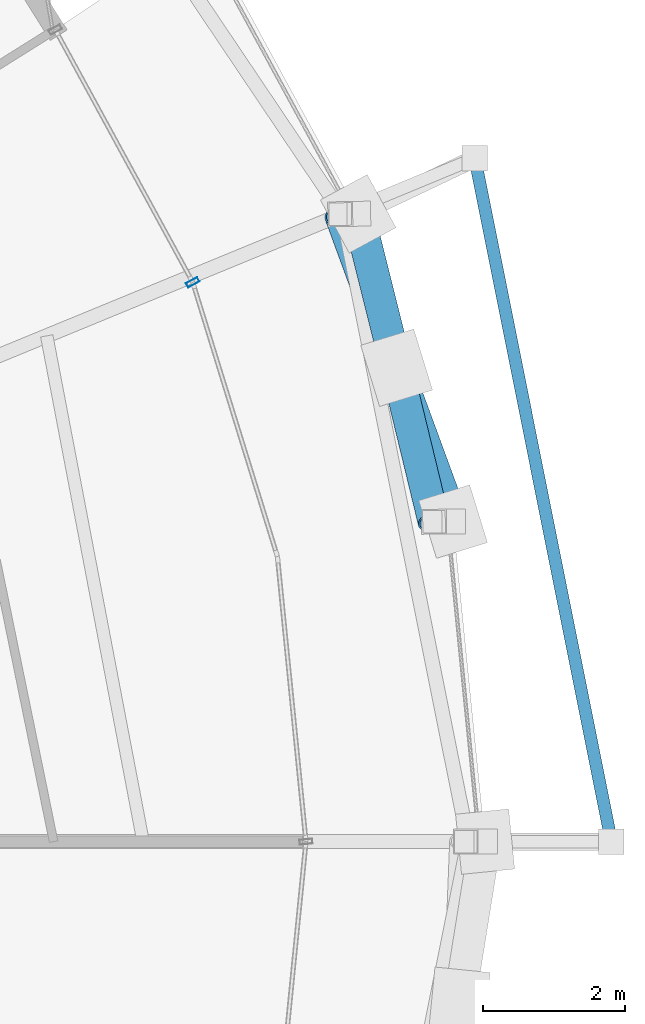
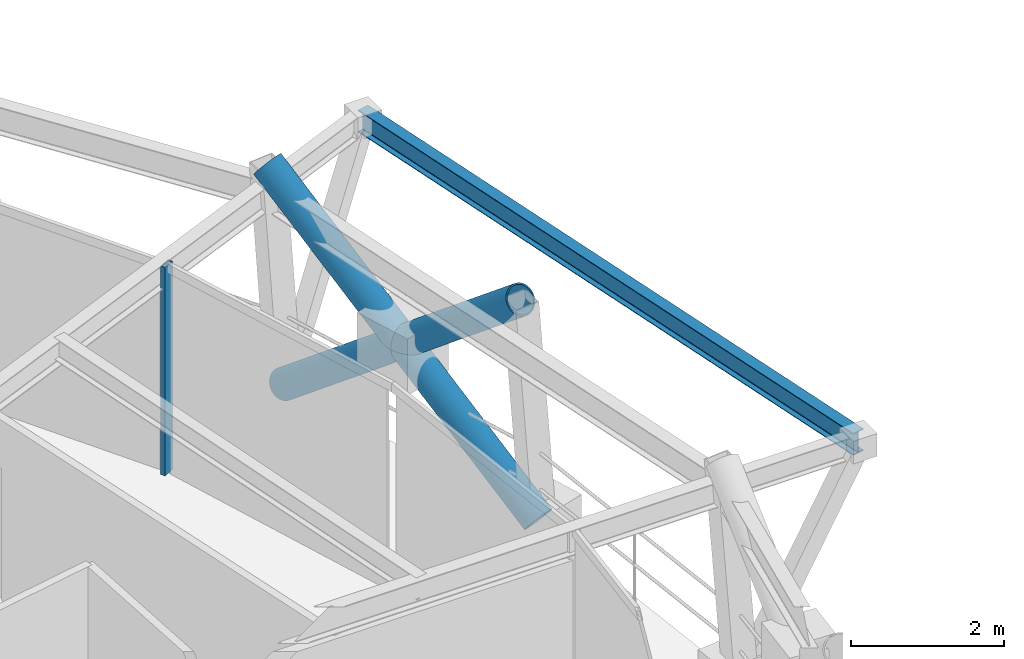
# One storey, part 9 of 18: 4 members, 1 beam, 1 element without a shape of its own.
"""IFC4 building model written with IfcOpenShell, lengths in metres."""

from ifc_helpers import new_model, si_unit, direction, frame, origin, origin_2d, place, context, subcontext, project, spatial, hollow_rectangle, hollow_circle, i_section, extrude, material, layer, layer_set, material_profile, profile_set, type_object, element, aggregate, save


model = new_model("IFC4")

# Units and contexts
model_context = context("Model", 3, precision=1e-05, world=origin(), true_north=direction((0.0, 1.0)))
body_context = subcontext(model_context, "Body", "Model", "MODEL_VIEW")
ifc_project = project(units=[si_unit("LENGTHUNIT", "METRE"), si_unit("AREAUNIT", "SQUARE_METRE"), si_unit("VOLUMEUNIT", "CUBIC_METRE"), si_unit("PLANEANGLEUNIT", "RADIAN"), si_unit("MASSUNIT", "GRAM", prefix="KILO")], contexts=[model_context])

# Site, building, storey
site_placement = place(None, origin())
site = spatial("IfcSite", under=ifc_project, at=site_placement, CompositionType="ELEMENT")
building_placement = place(site_placement, origin())
building = spatial("IfcBuilding", under=site, at=building_placement, Name="Veldorina Hangang Commons", CompositionType="ELEMENT")
storey_placement = place(building_placement, frame((0.0, 0.0, 243.60009765625)))
storey = spatial("IfcBuildingStorey", under=building, at=storey_placement, Name="L63", CompositionType="ELEMENT", Elevation=243.60009765625)

# Beam
ifc_material_1 = material(Name="Steel SM355-TMC", Category="steel")
ifc_material_profile_1 = material_profile(ifc_material_1, i_section(OverallWidth=0.175048828125, OverallDepth=0.35009765625, WebThickness=0.007080078125, FlangeThickness=0.010986328125, FilletRadius=0.012939453125, at=origin_2d()), Name="H-350x175x7x11")
ifc_profile_set_1 = profile_set([ifc_material_profile_1], Name="Steel SM355-TMC")
beam_type = type_object("IfcBeamType", Name="BM-FG350", PredefinedType="BEAM", material=ifc_profile_set_1)
beam_placement = place(storey_placement, frame((57.229736328125, 24.0, 3.184814453125), z_axis=(-0.195905393129, 0.980622800542, 0.0), x_axis=(-0.980622800542, -0.195905393129, 0.0)))
element("IfcBeam", 1, at=beam_placement, inside=storey, type_object=beam_type, Name="L64 tree balcony 2 outer rim beam", PredefinedType="BEAM", context=body_context, shape_type="SweptSolid", body=[
    extrude(i_section(OverallWidth=0.175048828125, OverallDepth=0.35009765625, WebThickness=0.007080078125, FlangeThickness=0.010986328125, FilletRadius=0.012939453125, at=origin_2d()), origin(), (0.0, 0.0, 1.0), 9.802734375),
])

# Curtain wall, member
ifc_material_2 = material(Name="Glass Low-E Selective", Category="glass")
ifc_layer = layer(ifc_material_2, 0.179931640625)
ifc_layer_set = layer_set([ifc_layer], Name="Glass Low-E Selective")
curtain_wall_type = type_object("IfcCurtainWallType", Name="CW-SYS-Z3", PredefinedType="NOTDEFINED", material=ifc_layer_set)
curtain_wall_placement = place(storey_placement, origin())
curtain_wall = element("IfcCurtainWall", 2, at=curtain_wall_placement, inside=storey, type_object=curtain_wall_type, Name="L63 unitised curtain wall CW-L63-R2", PredefinedType="NOTDEFINED")
ifc_material_3 = material(Name="Aluminium Anodized AA6063-T6", Category="aluminium")
ifc_material_profile_2 = material_profile(ifc_material_3, hollow_rectangle(XDim=0.070068359375, YDim=0.179931640625, WallThickness=0.00390625, at=origin_2d()), Name="ALU-RHS-180x70x4")
ifc_profile_set_2 = profile_set([ifc_material_profile_2], Name="Aluminium Anodized AA6063-T6")
member_type_1 = type_object("IfcMemberType", Name="CW-MUL-180", PredefinedType="MULLION", material=ifc_profile_set_2)
member_1_placement = place(storey_placement, frame((51.33984375, 31.86865234375, 0.0), z_axis=(0.0, 0.0, 1.0), x_axis=(-0.478002144155, 0.878358668303, 0.0)))
member_1 = element("IfcMember", 3, at=member_1_placement, type_object=member_type_1, Name="CW-L63-R2 vertical mullion 3", PredefinedType="MULLION", context=body_context, shape_type="SweptSolid", body=[
    extrude(hollow_rectangle(XDim=0.070068359375, YDim=0.179931640625, WallThickness=0.00390625, at=origin_2d()), origin(), (0.0, 0.0, 1.0), 3.31982421875),
])
aggregate(curtain_wall, [member_1])

# Members
ifc_material_profile_3 = material_profile(ifc_material_1, hollow_circle(Radius=0.22509765625, WallThickness=0.02197265625, at=origin_2d()), Name="CHS-450x22")
ifc_profile_set_3 = profile_set([ifc_material_profile_3], Name="Steel SM355-TMC")
member_type_2 = type_object("IfcMemberType", Name="DG-CHS450", PredefinedType="BRACE", material=ifc_profile_set_3)
member_2_placement = place(storey_placement, frame((55.002685546875, 28.5029296875, 0.0), z_axis=(-0.271486841499, 0.739761976445, 0.615668021826), x_axis=(-0.938777516237, -0.344523983212, 0.0)))
element("IfcMember", 4, at=member_2_placement, inside=storey, type_object=member_type_2, Name="L63 continuous perimeter diagrid brace 01", PredefinedType="BRACE", context=body_context, shape_type="SweptSolid", body=[
    extrude(hollow_circle(Radius=0.22509765625, WallThickness=0.02197265625, at=origin_2d()), origin(), (0.0, 0.0, 1.0), 5.84716796875),
])
member_3_placement = place(storey_placement, frame((53.66796875, 32.8330078125, 0.0), z_axis=(0.188446811824, -0.755063987214, 0.627985807424), x_axis=(0.970238928045, 0.242149587047, 0.0)))
element("IfcMember", 5, at=member_3_placement, inside=storey, type_object=member_type_2, Name="L63 split perimeter diagrid lower brace 02", PredefinedType="BRACE", context=body_context, shape_type="SweptSolid", body=[
    extrude(hollow_circle(Radius=0.22509765625, WallThickness=0.02197265625, at=origin_2d()), origin(), (0.0, 0.0, 1.0), 2.868408203125),
])
member_4_placement = place(storey_placement, frame((54.20849609375, 30.667236328125, 1.80126953125), z_axis=(0.183586766665, -0.75633656796, 0.627894015795), x_axis=(0.97178168107, 0.23588209838, 0.0)))
element("IfcMember", 6, at=member_4_placement, inside=storey, type_object=member_type_2, Name="L63 split perimeter diagrid upper brace 02", PredefinedType="BRACE", context=body_context, shape_type="SweptSolid", body=[
    extrude(hollow_circle(Radius=0.22509765625, WallThickness=0.02197265625, at=origin_2d()), origin(), (0.0, 0.0, 1.0), 2.864501953125),
])

save(model, "model.ifc")
